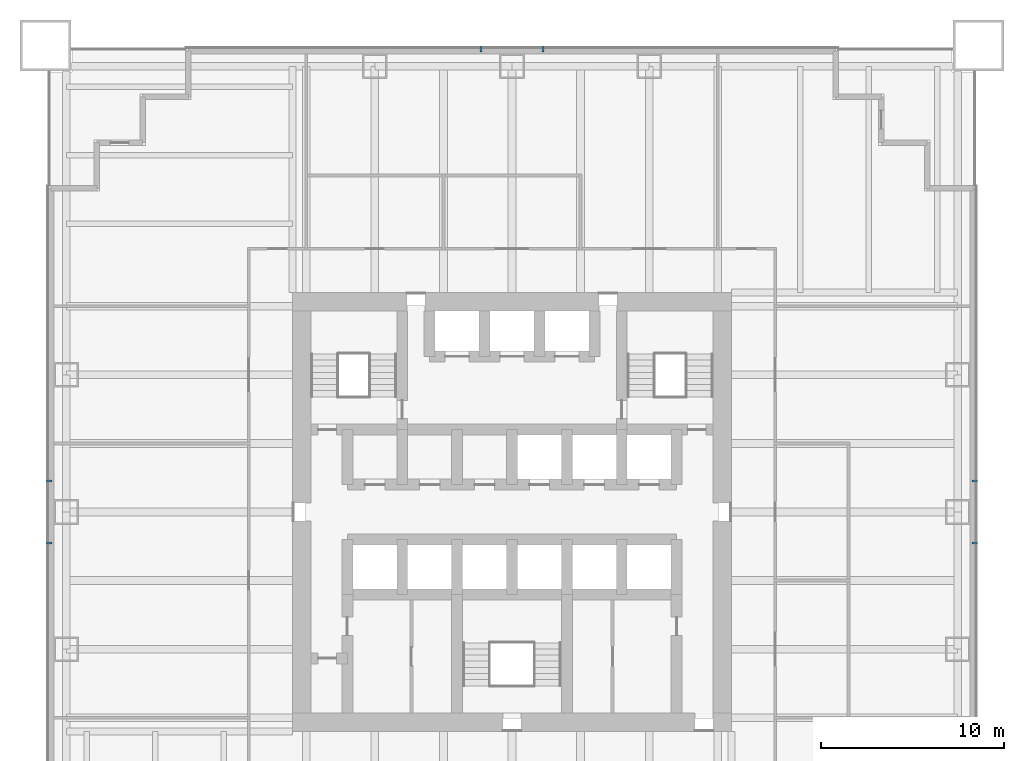
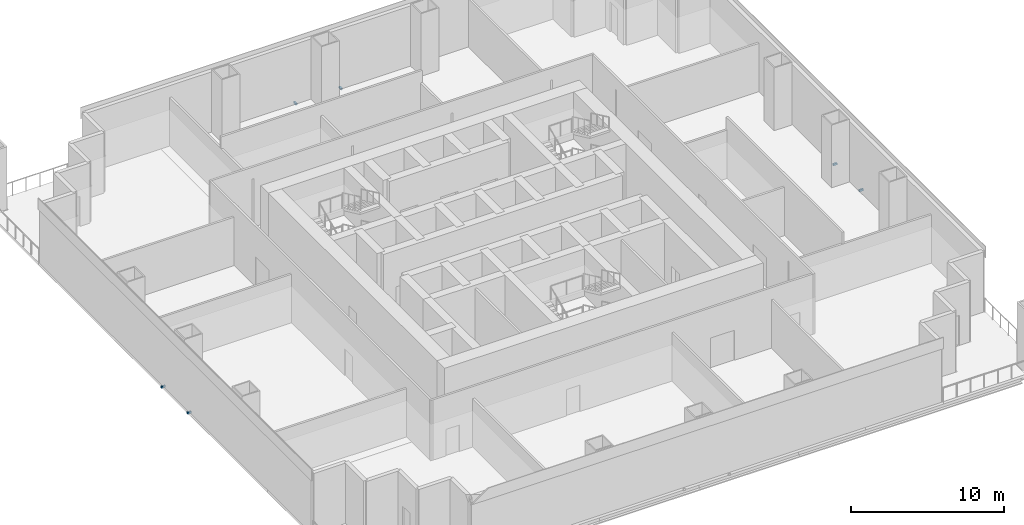
# One storey, part 5 of 7: 6 discrete accessories.
"""IFC4 building model written with IfcOpenShell, lengths in metres."""

from ifc_helpers import new_model, si_unit, direction, frame, origin, origin_2d, place, context, subcontext, project, spatial, rectangle, extrude, material, type_object, element, save


model = new_model("IFC4")

# Units and contexts
model_context = context("Model", 3, precision=1e-05, world=origin(), true_north=direction((0.0, 1.0)))
body_context = subcontext(model_context, "Body", "Model", "MODEL_VIEW")
ifc_project = project(units=[si_unit("LENGTHUNIT", "METRE"), si_unit("AREAUNIT", "SQUARE_METRE"), si_unit("VOLUMEUNIT", "CUBIC_METRE"), si_unit("PLANEANGLEUNIT", "RADIAN"), si_unit("MASSUNIT", "GRAM", prefix="KILO")], contexts=[model_context])

# Site, building, storey
site_placement = place(None, origin())
site = spatial("IfcSite", under=ifc_project, at=site_placement, CompositionType="ELEMENT")
building_placement = place(site_placement, origin())
building = spatial("IfcBuilding", under=site, at=building_placement, Name="Tarangal Relay Tower", CompositionType="ELEMENT")
storey_placement = place(building_placement, frame((0.0, 0.0, 43.39990234375)))
storey = spatial("IfcBuildingStorey", under=building, at=storey_placement, Name="L08", CompositionType="ELEMENT", Elevation=43.39990234375)

# Discrete accessories
ifc_material = material(Name="Steel ASTM A572 Grade 50", Category="steel")
discrete_accessory_type = type_object("IfcDiscreteAccessoryType", Name="Brace crossing restraint BRT1", PredefinedType="BRACKET", material=ifc_material)
for number, where, z_axis, x_axis, name in (
    (1, (1.699951171875, 25.300048828125, -0.1748046875), (0.0, 0.0, 1.0), (1.0, 0.0, 0.0), "Brace crossing restraint BRT1 N L08"),
    (2, (-1.699951171875, 25.300048828125, -0.1748046875), (0.0, 0.0, 1.0), (1.0, 0.0, 0.0), "Brace crossing restraint BRT1 N L08"),
):
    element("IfcDiscreteAccessory", number, at=place(storey_placement, frame(where, z_axis=z_axis, x_axis=x_axis)), inside=storey, type_object=discrete_accessory_type, Name=name, PredefinedType="BRACKET", context=body_context, shape_type="SweptSolid", body=[
        extrude(rectangle(XDim=0.1201171875, YDim=0.300048828125, at=origin_2d()), origin(), (0.0, 0.0, 1.0), 0.14990234375),
    ])
for number, where, z_axis, x_axis, name in (
    (3, (25.300048828125, -1.699951171875, -0.1748046875), (0.0, 0.0, 1.0), (1.0, 0.0, 0.0), "Brace crossing restraint BRT1 E L08"),
    (4, (25.300048828125, 1.699951171875, -0.1748046875), (0.0, 0.0, 1.0), (1.0, 0.0, 0.0), "Brace crossing restraint BRT1 E L08"),
    (5, (-25.300048828125, 1.699951171875, -0.1748046875), (0.0, 0.0, 1.0), (1.0, 0.0, 0.0), "Brace crossing restraint BRT1 W L08"),
    (6, (-25.300048828125, -1.699951171875, -0.1748046875), (0.0, 0.0, 1.0), (1.0, 0.0, 0.0), "Brace crossing restraint BRT1 W L08"),
):
    element("IfcDiscreteAccessory", number, at=place(storey_placement, frame(where, z_axis=z_axis, x_axis=x_axis)), inside=storey, type_object=discrete_accessory_type, Name=name, PredefinedType="BRACKET", context=body_context, shape_type="SweptSolid", body=[
        extrude(rectangle(XDim=0.300048828125, YDim=0.1201171875, at=origin_2d()), origin(), (0.0, 0.0, 1.0), 0.14990234375),
    ])

save(model, "model.ifc")
